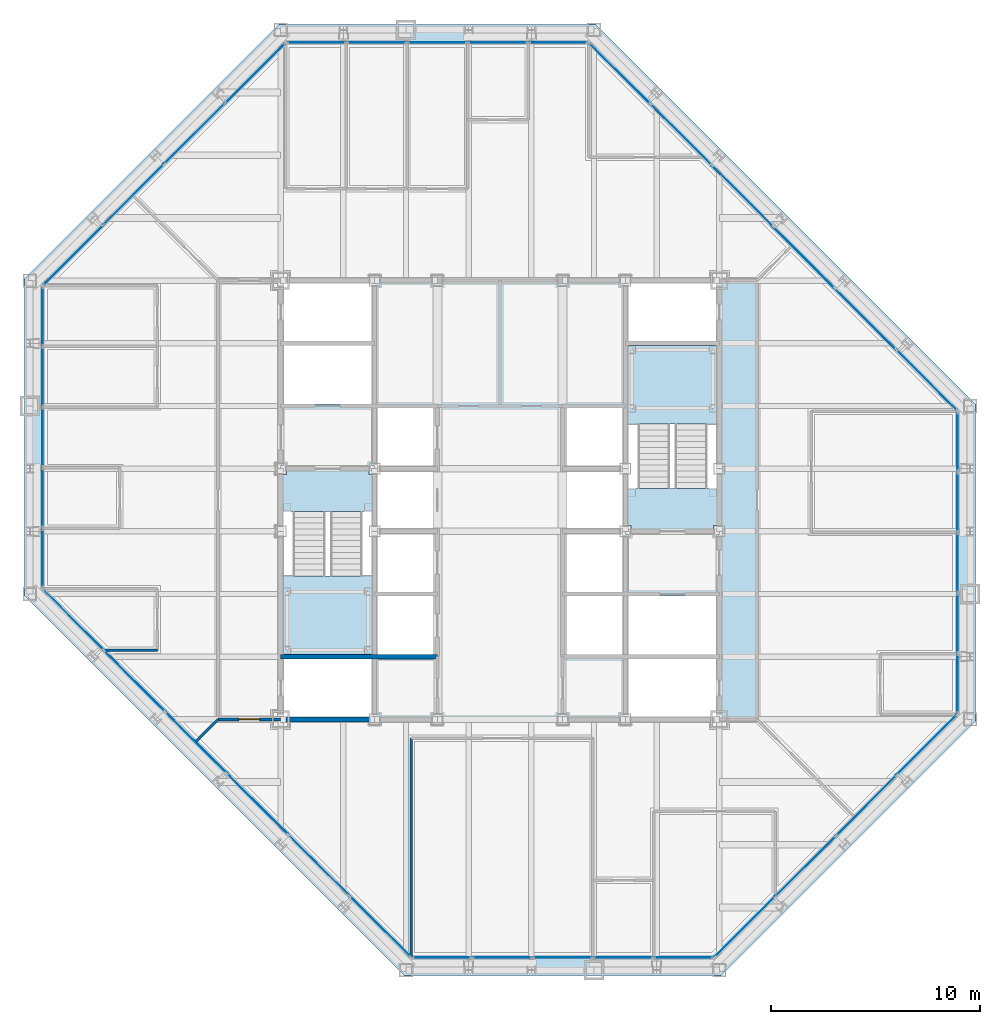
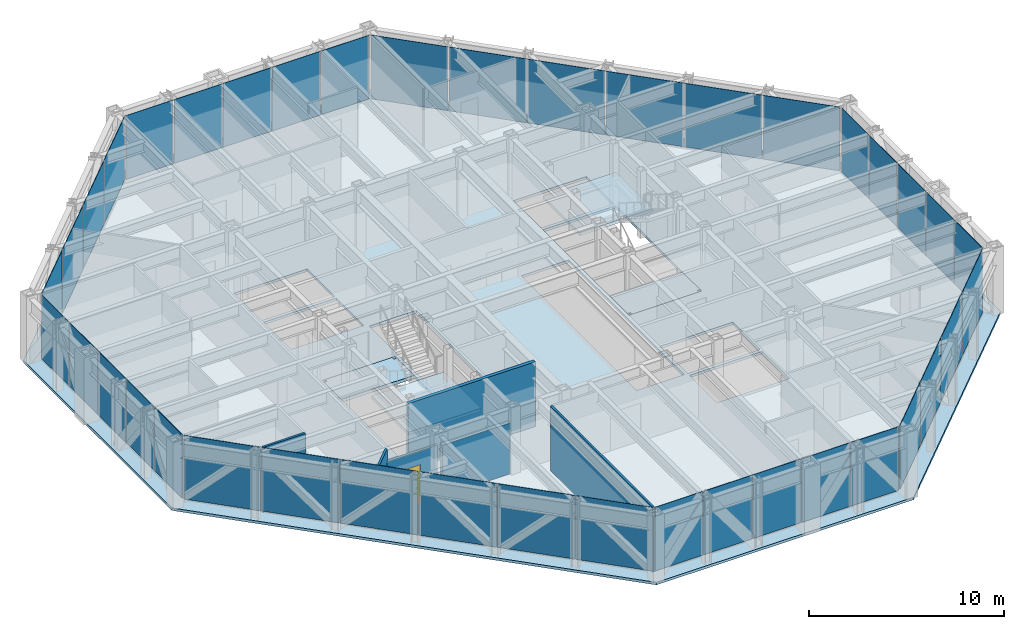
# One storey, part 10 of 16: 40 plates, 6 walls, 5 slabs, 1 door, 1 opening, 10 elements without a shape of their own.
"""IFC4 building model written with IfcOpenShell, lengths in metres."""

from ifc_helpers import new_model, si_unit, direction, frame, frame_2d, origin, origin_2d, place, context, subcontext, project, spatial, polyline, rectangle, outline, extrude, material, layer, layer_set, type_object, element, fill, aggregate, save


model = new_model("IFC4")

# Units and contexts
model_context = context("Model", 3, precision=1e-05, world=origin(), true_north=direction((0.0, 1.0)))
body_context = subcontext(model_context, "Body", "Model", "MODEL_VIEW")
ifc_project = project(units=[si_unit("LENGTHUNIT", "METRE"), si_unit("AREAUNIT", "SQUARE_METRE"), si_unit("VOLUMEUNIT", "CUBIC_METRE"), si_unit("PLANEANGLEUNIT", "RADIAN"), si_unit("MASSUNIT", "GRAM", prefix="KILO")], contexts=[model_context])

# Site, building, storey
site_placement = place(None, origin())
site = spatial("IfcSite", under=ifc_project, at=site_placement, CompositionType="ELEMENT")
building_placement = place(site_placement, origin())
building = spatial("IfcBuilding", under=site, at=building_placement, Name="Chuquiago Exchange Tower", CompositionType="ELEMENT")
storey_placement = place(building_placement, frame((0.0, 0.0, 239.10009765625)))
storey = spatial("IfcBuildingStorey", under=building, at=storey_placement, Name="L53", CompositionType="ELEMENT", Elevation=239.10009765625)

# Curtain wall, plate
ifc_material_1 = material(Name="Aluminium curtain wall system", Category="aluminium")
ifc_layer_1 = layer(ifc_material_1, 0.22509765625)
ifc_layer_set_1 = layer_set([ifc_layer_1], Name="CW2 office curtain wall")
curtain_wall_type_1 = type_object("IfcCurtainWallType", Name="CW2 office curtain wall", PredefinedType="NOTDEFINED", material=ifc_layer_set_1)
curtain_wall_1_placement = place(storey_placement, origin())
curtain_wall_1 = element("IfcCurtainWall", 1, at=curtain_wall_1_placement, inside=storey, type_object=curtain_wall_type_1, Name="CW2 curtain wall L53", PredefinedType="NOTDEFINED")
ifc_material_2 = material(Name="Glass, insulating unit", Category="glass")
ifc_layer_2 = layer(ifc_material_2, 0.030029296875)
ifc_layer_set_2 = layer_set([ifc_layer_2], Name="CW2-P panel 30")
plate_type_1 = type_object("IfcPlateType", Name="CW2-P panel 30", PredefinedType="CURTAIN_PANEL", material=ifc_layer_set_2)
plate_1_placement = place(storey_placement, frame((25.5, 0.60009765625, 0.06494140625), z_axis=(0.0, 0.0, 1.0), x_axis=(1.0, 0.0, 0.0)))
plate_1 = element("IfcPlate", 2, at=plate_1_placement, type_object=plate_type_1, Name="CW2 panel 3.1", PredefinedType="CURTAIN_PANEL", context=body_context, shape_type="SweptSolid", body=[
    extrude(rectangle(XDim=2.835693359375, YDim=0.030029296875, at=origin_2d()), origin(), (0.0, 0.0, 1.0), 3.97509765625),
])

curtain_wall_2_placement = place(storey_placement, origin())
curtain_wall_2 = element("IfcCurtainWall", 3, at=curtain_wall_2_placement, inside=storey, type_object=curtain_wall_type_1, Name="CW2 curtain wall L53", PredefinedType="NOTDEFINED")
plate_2_placement = place(storey_placement, frame((44.39990234375, 19.5, 0.06494140625), z_axis=(0.0, 0.0, 1.0), x_axis=(0.0, 1.0, 0.0)))
plate_2 = element("IfcPlate", 4, at=plate_2_placement, type_object=plate_type_1, Name="CW2 panel 3.1", PredefinedType="CURTAIN_PANEL", context=body_context, shape_type="SweptSolid", body=[
    extrude(rectangle(XDim=2.835693359375, YDim=0.030029296875, at=origin_2d()), origin(), (0.0, 0.0, 1.0), 3.97509765625),
])

curtain_wall_3_placement = place(storey_placement, origin())
curtain_wall_3 = element("IfcCurtainWall", 5, at=curtain_wall_3_placement, inside=storey, type_object=curtain_wall_type_1, Name="CW2 curtain wall L53", PredefinedType="NOTDEFINED")
plate_3_placement = place(storey_placement, frame((19.5, 44.39990234375, 0.06494140625), z_axis=(0.0, 0.0, 1.0), x_axis=(-1.0, 0.0, 0.0)))
plate_3 = element("IfcPlate", 6, at=plate_3_placement, type_object=plate_type_1, Name="CW2 panel 3.1", PredefinedType="CURTAIN_PANEL", context=body_context, shape_type="SweptSolid", body=[
    extrude(rectangle(XDim=2.835693359375, YDim=0.030029296875, at=origin_2d()), origin(), (0.0, 0.0, 1.0), 3.97509765625),
])

curtain_wall_4_placement = place(storey_placement, origin())
curtain_wall_4 = element("IfcCurtainWall", 7, at=curtain_wall_4_placement, inside=storey, type_object=curtain_wall_type_1, Name="CW2 curtain wall L53", PredefinedType="NOTDEFINED")
plate_4_placement = place(storey_placement, frame((0.60009765625, 25.5, 0.06494140625), z_axis=(0.0, 0.0, 1.0), x_axis=(0.0, -1.0, 0.0)))
plate_4 = element("IfcPlate", 8, at=plate_4_placement, type_object=plate_type_1, Name="CW2 panel 3.1", PredefinedType="CURTAIN_PANEL", context=body_context, shape_type="SweptSolid", body=[
    extrude(rectangle(XDim=2.835693359375, YDim=0.030029296875, at=origin_2d()), origin(), (0.0, 0.0, 1.0), 3.97509765625),
])

# Plate
ifc_material_3 = material(Name="Insulated spandrel panel, pale anodised aluminium", Category="aluminium")
ifc_layer_3 = layer(ifc_material_3, 0.030029296875)
ifc_layer_set_3 = layer_set([ifc_layer_3], Name="CW2-P spandrel panel 30")
plate_type_2 = type_object("IfcPlateType", Name="CW2-P spandrel panel 30", PredefinedType="CURTAIN_PANEL", material=ifc_layer_set_3)
plate_5_placement = place(storey_placement, frame((19.715087890625, 0.60009765625, 0.06494140625), z_axis=(0.0, 0.0, 1.0), x_axis=(1.0, 0.0, 0.0)))
plate_5 = element("IfcPlate", 9, at=plate_5_placement, type_object=plate_type_2, Name="CW2 panel 1.1", PredefinedType="CURTAIN_PANEL", context=body_context, shape_type="SweptSolid", body=[
    extrude(rectangle(XDim=2.802978515625, YDim=0.030029296875, at=origin_2d()), origin(), (0.0, 0.0, 1.0), 3.97509765625),
])

plate_6_placement = place(storey_placement, frame((22.599365234375, 0.60009765625, 0.06494140625), z_axis=(0.0, 0.0, 1.0), x_axis=(1.0, 0.0, 0.0)))
plate_6 = element("IfcPlate", 10, at=plate_6_placement, type_object=plate_type_2, Name="CW2 panel 2.1", PredefinedType="CURTAIN_PANEL", context=body_context, shape_type="SweptSolid", body=[
    extrude(rectangle(XDim=2.835693359375, YDim=0.030029296875, at=origin_2d()), origin(), (0.0, 0.0, 1.0), 3.97509765625),
])

plate_7_placement = place(storey_placement, frame((28.400634765625, 0.60009765625, 0.06494140625), z_axis=(0.0, 0.0, 1.0), x_axis=(1.0, 0.0, 0.0)))
plate_7 = element("IfcPlate", 11, at=plate_7_placement, type_object=plate_type_2, Name="CW2 panel 4.1", PredefinedType="CURTAIN_PANEL", context=body_context, shape_type="SweptSolid", body=[
    extrude(rectangle(XDim=2.835693359375, YDim=0.030029296875, at=origin_2d()), origin(), (0.0, 0.0, 1.0), 3.97509765625),
])

plate_8_placement = place(storey_placement, frame((31.284912109375, 0.60009765625, 0.06494140625), z_axis=(0.0, 0.0, 1.0), x_axis=(1.0, 0.0, 0.0)))
plate_8 = element("IfcPlate", 12, at=plate_8_placement, type_object=plate_type_2, Name="CW2 panel 5.1", PredefinedType="CURTAIN_PANEL", context=body_context, shape_type="SweptSolid", body=[
    extrude(rectangle(XDim=2.802978515625, YDim=0.030029296875, at=origin_2d()), origin(), (0.0, 0.0, 1.0), 3.97509765625),
])

aggregate(curtain_wall_1, [plate_5, plate_6, plate_1, plate_7, plate_8])

plate_9_placement = place(storey_placement, frame((44.39990234375, 13.715087890625, 0.06494140625), z_axis=(0.0, 0.0, 1.0), x_axis=(0.0, 1.0, 0.0)))
plate_9 = element("IfcPlate", 13, at=plate_9_placement, type_object=plate_type_2, Name="CW2 panel 1.1", PredefinedType="CURTAIN_PANEL", context=body_context, shape_type="SweptSolid", body=[
    extrude(rectangle(XDim=2.802978515625, YDim=0.030029296875, at=origin_2d()), origin(), (0.0, 0.0, 1.0), 3.97509765625),
])

plate_10_placement = place(storey_placement, frame((44.39990234375, 16.599365234375, 0.06494140625), z_axis=(0.0, 0.0, 1.0), x_axis=(0.0, 1.0, 0.0)))
plate_10 = element("IfcPlate", 14, at=plate_10_placement, type_object=plate_type_2, Name="CW2 panel 2.1", PredefinedType="CURTAIN_PANEL", context=body_context, shape_type="SweptSolid", body=[
    extrude(rectangle(XDim=2.835693359375, YDim=0.030029296875, at=origin_2d()), origin(), (0.0, 0.0, 1.0), 3.97509765625),
])

plate_11_placement = place(storey_placement, frame((44.39990234375, 22.400634765625, 0.06494140625), z_axis=(0.0, 0.0, 1.0), x_axis=(0.0, 1.0, 0.0)))
plate_11 = element("IfcPlate", 15, at=plate_11_placement, type_object=plate_type_2, Name="CW2 panel 4.1", PredefinedType="CURTAIN_PANEL", context=body_context, shape_type="SweptSolid", body=[
    extrude(rectangle(XDim=2.835693359375, YDim=0.030029296875, at=origin_2d()), origin(), (0.0, 0.0, 1.0), 3.97509765625),
])

plate_12_placement = place(storey_placement, frame((44.39990234375, 25.284912109375, 0.06494140625), z_axis=(0.0, 0.0, 1.0), x_axis=(0.0, 1.0, 0.0)))
plate_12 = element("IfcPlate", 16, at=plate_12_placement, type_object=plate_type_2, Name="CW2 panel 5.1", PredefinedType="CURTAIN_PANEL", context=body_context, shape_type="SweptSolid", body=[
    extrude(rectangle(XDim=2.802978515625, YDim=0.030029296875, at=origin_2d()), origin(), (0.0, 0.0, 1.0), 3.97509765625),
])

aggregate(curtain_wall_2, [plate_9, plate_10, plate_2, plate_11, plate_12])

plate_13_placement = place(storey_placement, frame((25.284912109375, 44.39990234375, 0.06494140625), z_axis=(0.0, 0.0, 1.0), x_axis=(-1.0, 0.0, 0.0)))
plate_13 = element("IfcPlate", 17, at=plate_13_placement, type_object=plate_type_2, Name="CW2 panel 1.1", PredefinedType="CURTAIN_PANEL", context=body_context, shape_type="SweptSolid", body=[
    extrude(rectangle(XDim=2.802978515625, YDim=0.030029296875, at=origin_2d()), origin(), (0.0, 0.0, 1.0), 3.97509765625),
])

plate_14_placement = place(storey_placement, frame((22.400634765625, 44.39990234375, 0.06494140625), z_axis=(0.0, 0.0, 1.0), x_axis=(-1.0, 0.0, 0.0)))
plate_14 = element("IfcPlate", 18, at=plate_14_placement, type_object=plate_type_2, Name="CW2 panel 2.1", PredefinedType="CURTAIN_PANEL", context=body_context, shape_type="SweptSolid", body=[
    extrude(rectangle(XDim=2.835693359375, YDim=0.030029296875, at=origin_2d()), origin(), (0.0, 0.0, 1.0), 3.97509765625),
])

plate_15_placement = place(storey_placement, frame((16.599365234375, 44.39990234375, 0.06494140625), z_axis=(0.0, 0.0, 1.0), x_axis=(-1.0, 0.0, 0.0)))
plate_15 = element("IfcPlate", 19, at=plate_15_placement, type_object=plate_type_2, Name="CW2 panel 4.1", PredefinedType="CURTAIN_PANEL", context=body_context, shape_type="SweptSolid", body=[
    extrude(rectangle(XDim=2.835693359375, YDim=0.030029296875, at=origin_2d()), origin(), (0.0, 0.0, 1.0), 3.97509765625),
])

plate_16_placement = place(storey_placement, frame((13.715087890625, 44.39990234375, 0.06494140625), z_axis=(0.0, 0.0, 1.0), x_axis=(-1.0, 0.0, 0.0)))
plate_16 = element("IfcPlate", 20, at=plate_16_placement, type_object=plate_type_2, Name="CW2 panel 5.1", PredefinedType="CURTAIN_PANEL", context=body_context, shape_type="SweptSolid", body=[
    extrude(rectangle(XDim=2.802978515625, YDim=0.030029296875, at=origin_2d()), origin(), (0.0, 0.0, 1.0), 3.97509765625),
])

aggregate(curtain_wall_3, [plate_13, plate_14, plate_3, plate_15, plate_16])

plate_17_placement = place(storey_placement, frame((0.60009765625, 31.284912109375, 0.06494140625), z_axis=(0.0, 0.0, 1.0), x_axis=(0.0, -1.0, 0.0)))
plate_17 = element("IfcPlate", 21, at=plate_17_placement, type_object=plate_type_2, Name="CW2 panel 1.1", PredefinedType="CURTAIN_PANEL", context=body_context, shape_type="SweptSolid", body=[
    extrude(rectangle(XDim=2.802978515625, YDim=0.030029296875, at=origin_2d()), origin(), (0.0, 0.0, 1.0), 3.97509765625),
])

plate_18_placement = place(storey_placement, frame((0.60009765625, 28.400634765625, 0.06494140625), z_axis=(0.0, 0.0, 1.0), x_axis=(0.0, -1.0, 0.0)))
plate_18 = element("IfcPlate", 22, at=plate_18_placement, type_object=plate_type_2, Name="CW2 panel 2.1", PredefinedType="CURTAIN_PANEL", context=body_context, shape_type="SweptSolid", body=[
    extrude(rectangle(XDim=2.835693359375, YDim=0.030029296875, at=origin_2d()), origin(), (0.0, 0.0, 1.0), 3.97509765625),
])

plate_19_placement = place(storey_placement, frame((0.60009765625, 22.599365234375, 0.06494140625), z_axis=(0.0, 0.0, 1.0), x_axis=(0.0, -1.0, 0.0)))
plate_19 = element("IfcPlate", 23, at=plate_19_placement, type_object=plate_type_2, Name="CW2 panel 4.1", PredefinedType="CURTAIN_PANEL", context=body_context, shape_type="SweptSolid", body=[
    extrude(rectangle(XDim=2.835693359375, YDim=0.030029296875, at=origin_2d()), origin(), (0.0, 0.0, 1.0), 3.97509765625),
])

plate_20_placement = place(storey_placement, frame((0.60009765625, 19.715087890625, 0.06494140625), z_axis=(0.0, 0.0, 1.0), x_axis=(0.0, -1.0, 0.0)))
plate_20 = element("IfcPlate", 24, at=plate_20_placement, type_object=plate_type_2, Name="CW2 panel 5.1", PredefinedType="CURTAIN_PANEL", context=body_context, shape_type="SweptSolid", body=[
    extrude(rectangle(XDim=2.802978515625, YDim=0.030029296875, at=origin_2d()), origin(), (0.0, 0.0, 1.0), 3.97509765625),
])

aggregate(curtain_wall_4, [plate_17, plate_18, plate_4, plate_19, plate_20])

# Curtain wall, plates
ifc_material_4 = material(Name="Aluminium curtain wall system", Category="aluminium")
ifc_layer_4 = layer(ifc_material_4, 0.199951171875)
ifc_layer_set_4 = layer_set([ifc_layer_4], Name="CW3 facet curtain wall")
curtain_wall_type_2 = type_object("IfcCurtainWallType", Name="CW3 facet curtain wall", PredefinedType="NOTDEFINED", material=ifc_layer_set_4)
curtain_wall_5_placement = place(storey_placement, origin())
curtain_wall_5 = element("IfcCurtainWall", 25, at=curtain_wall_5_placement, inside=storey, type_object=curtain_wall_type_2, Name="CW3 curtain wall L53", PredefinedType="NOTDEFINED")
ifc_material_5 = material(Name="Insulated spandrel panel, pale anodised aluminium", Category="aluminium")
ifc_layer_5 = layer(ifc_material_5, 0.030029296875)
ifc_layer_set_5 = layer_set([ifc_layer_5], Name="CW3-P spandrel panel 30")
plate_type_3 = type_object("IfcPlateType", Name="CW3-P spandrel panel 30", PredefinedType="CURTAIN_PANEL", material=ifc_layer_set_5)
plate_21_placement = place(storey_placement, frame((34.218994140625, 2.067626953125, 0.06494140625), z_axis=(0.0, 0.0, 1.0), x_axis=(0.707106781187, 0.707106781187, 0.0)))
plate_21 = element("IfcPlate", 26, at=plate_21_placement, type_object=plate_type_3, Name="CW3 panel 1.1", PredefinedType="CURTAIN_PANEL", context=body_context, shape_type="SweptSolid", body=[
    extrude(rectangle(XDim=4.020751953125, YDim=0.030029296875, at=origin_2d()), origin(), (0.0, 0.0, 1.0), 3.97509765625),
])
plate_22_placement = place(storey_placement, frame((37.11962890625, 4.96826171875, 0.06494140625), z_axis=(0.0, 0.0, 1.0), x_axis=(0.707106781187, 0.707106781187, 0.0)))
plate_22 = element("IfcPlate", 27, at=plate_22_placement, type_object=plate_type_3, Name="CW3 panel 2.1", PredefinedType="CURTAIN_PANEL", context=body_context, shape_type="SweptSolid", body=[
    extrude(rectangle(XDim=4.053466796875, YDim=0.030029296875, at=origin_2d()), origin(), (0.0, 0.0, 1.0), 3.97509765625),
])
plate_23_placement = place(storey_placement, frame((40.03173828125, 7.88037109375, 0.06494140625), z_axis=(0.0, 0.0, 1.0), x_axis=(0.707106781187, 0.707106781187, 0.0)))
plate_23 = element("IfcPlate", 28, at=plate_23_placement, type_object=plate_type_3, Name="CW3 panel 3.1", PredefinedType="CURTAIN_PANEL", context=body_context, shape_type="SweptSolid", body=[
    extrude(rectangle(XDim=4.053466796875, YDim=0.030029296875, at=origin_2d()), origin(), (0.0, 0.0, 1.0), 3.97509765625),
])
plate_24_placement = place(storey_placement, frame((42.932373046875, 10.781005859375, 0.06494140625), z_axis=(0.0, 0.0, 1.0), x_axis=(0.707106781187, 0.707106781187, 0.0)))
plate_24 = element("IfcPlate", 29, at=plate_24_placement, type_object=plate_type_3, Name="CW3 panel 4.1", PredefinedType="CURTAIN_PANEL", context=body_context, shape_type="SweptSolid", body=[
    extrude(rectangle(XDim=4.020751953125, YDim=0.030029296875, at=origin_2d()), origin(), (0.0, 0.0, 1.0), 3.97509765625),
])
aggregate(curtain_wall_5, [plate_21, plate_22, plate_23, plate_24])

curtain_wall_6_placement = place(storey_placement, origin())
curtain_wall_6 = element("IfcCurtainWall", 30, at=curtain_wall_6_placement, inside=storey, type_object=curtain_wall_type_2, Name="CW3 curtain wall L53", PredefinedType="NOTDEFINED")
plate_25_placement = place(storey_placement, frame((42.917724609375, 28.233642578125, 0.06494140625), z_axis=(0.0, 0.0, 1.0), x_axis=(-0.707106781187, 0.707106781187, 0.0)))
plate_25 = element("IfcPlate", 31, at=plate_25_placement, type_object=plate_type_3, Name="CW3 panel 1.1", PredefinedType="CURTAIN_PANEL", context=body_context, shape_type="SweptSolid", body=[
    extrude(rectangle(XDim=4.062255859375, YDim=0.030029296875, at=origin_2d()), origin(), (0.0, 0.0, 1.0), 3.97509765625),
])
plate_26_placement = place(storey_placement, frame((39.98779296875, 31.16357421875, 0.06494140625), z_axis=(0.0, 0.0, 1.0), x_axis=(-0.707106781187, 0.707106781187, 0.0)))
plate_26 = element("IfcPlate", 32, at=plate_26_placement, type_object=plate_type_3, Name="CW3 panel 2.1", PredefinedType="CURTAIN_PANEL", context=body_context, shape_type="SweptSolid", body=[
    extrude(rectangle(XDim=4.0947265625, YDim=0.030029296875, at=origin_2d()), origin(), (0.0, 0.0, 1.0), 3.97509765625),
])
plate_27_placement = place(storey_placement, frame((37.04638671875, 34.10498046875, 0.06494140625), z_axis=(0.0, 0.0, 1.0), x_axis=(-0.707106781187, 0.707106781187, 0.0)))
plate_27 = element("IfcPlate", 33, at=plate_27_placement, type_object=plate_type_3, Name="CW3 panel 3.1", PredefinedType="CURTAIN_PANEL", context=body_context, shape_type="SweptSolid", body=[
    extrude(rectangle(XDim=4.0947265625, YDim=0.030029296875, at=origin_2d()), origin(), (0.0, 0.0, 1.0), 3.97509765625),
])
plate_28_placement = place(storey_placement, frame((34.10498046875, 37.04638671875, 0.06494140625), z_axis=(0.0, 0.0, 1.0), x_axis=(-0.707106781187, 0.707106781187, 0.0)))
plate_28 = element("IfcPlate", 34, at=plate_28_placement, type_object=plate_type_3, Name="CW3 panel 4.1", PredefinedType="CURTAIN_PANEL", context=body_context, shape_type="SweptSolid", body=[
    extrude(rectangle(XDim=4.0947265625, YDim=0.030029296875, at=origin_2d()), origin(), (0.0, 0.0, 1.0), 3.97509765625),
])
plate_29_placement = place(storey_placement, frame((31.16357421875, 39.98779296875, 0.06494140625), z_axis=(0.0, 0.0, 1.0), x_axis=(-0.707106781187, 0.707106781187, 0.0)))
plate_29 = element("IfcPlate", 35, at=plate_29_placement, type_object=plate_type_3, Name="CW3 panel 5.1", PredefinedType="CURTAIN_PANEL", context=body_context, shape_type="SweptSolid", body=[
    extrude(rectangle(XDim=4.0947265625, YDim=0.030029296875, at=origin_2d()), origin(), (0.0, 0.0, 1.0), 3.97509765625),
])
plate_30_placement = place(storey_placement, frame((28.233642578125, 42.917724609375, 0.06494140625), z_axis=(0.0, 0.0, 1.0), x_axis=(-0.707106781187, 0.707106781187, 0.0)))
plate_30 = element("IfcPlate", 36, at=plate_30_placement, type_object=plate_type_3, Name="CW3 panel 6.1", PredefinedType="CURTAIN_PANEL", context=body_context, shape_type="SweptSolid", body=[
    extrude(rectangle(XDim=4.062255859375, YDim=0.030029296875, at=origin_2d()), origin(), (0.0, 0.0, 1.0), 3.97509765625),
])
aggregate(curtain_wall_6, [plate_25, plate_26, plate_27, plate_28, plate_29, plate_30])

curtain_wall_7_placement = place(storey_placement, origin())
curtain_wall_7 = element("IfcCurtainWall", 37, at=curtain_wall_7_placement, inside=storey, type_object=curtain_wall_type_2, Name="CW3 curtain wall L53", PredefinedType="NOTDEFINED")
plate_31_placement = place(storey_placement, frame((10.781005859375, 42.932373046875, 0.06494140625), z_axis=(0.0, 0.0, 1.0), x_axis=(-0.707106781187, -0.707106781187, 0.0)))
plate_31 = element("IfcPlate", 38, at=plate_31_placement, type_object=plate_type_3, Name="CW3 panel 1.1", PredefinedType="CURTAIN_PANEL", context=body_context, shape_type="SweptSolid", body=[
    extrude(rectangle(XDim=4.020751953125, YDim=0.030029296875, at=origin_2d()), origin(), (0.0, 0.0, 1.0), 3.97509765625),
])
plate_32_placement = place(storey_placement, frame((7.88037109375, 40.03173828125, 0.06494140625), z_axis=(0.0, 0.0, 1.0), x_axis=(-0.707106781187, -0.707106781187, 0.0)))
plate_32 = element("IfcPlate", 39, at=plate_32_placement, type_object=plate_type_3, Name="CW3 panel 2.1", PredefinedType="CURTAIN_PANEL", context=body_context, shape_type="SweptSolid", body=[
    extrude(rectangle(XDim=4.053466796875, YDim=0.030029296875, at=origin_2d()), origin(), (0.0, 0.0, 1.0), 3.97509765625),
])
plate_33_placement = place(storey_placement, frame((4.96826171875, 37.11962890625, 0.06494140625), z_axis=(0.0, 0.0, 1.0), x_axis=(-0.707106781187, -0.707106781187, 0.0)))
plate_33 = element("IfcPlate", 40, at=plate_33_placement, type_object=plate_type_3, Name="CW3 panel 3.1", PredefinedType="CURTAIN_PANEL", context=body_context, shape_type="SweptSolid", body=[
    extrude(rectangle(XDim=4.053466796875, YDim=0.030029296875, at=origin_2d()), origin(), (0.0, 0.0, 1.0), 3.97509765625),
])
plate_34_placement = place(storey_placement, frame((2.067626953125, 34.218994140625, 0.06494140625), z_axis=(0.0, 0.0, 1.0), x_axis=(-0.707106781187, -0.707106781187, 0.0)))
plate_34 = element("IfcPlate", 41, at=plate_34_placement, type_object=plate_type_3, Name="CW3 panel 4.1", PredefinedType="CURTAIN_PANEL", context=body_context, shape_type="SweptSolid", body=[
    extrude(rectangle(XDim=4.020751953125, YDim=0.030029296875, at=origin_2d()), origin(), (0.0, 0.0, 1.0), 3.97509765625),
])
aggregate(curtain_wall_7, [plate_31, plate_32, plate_33, plate_34])

curtain_wall_8_placement = place(storey_placement, origin())
curtain_wall_8 = element("IfcCurtainWall", 42, at=curtain_wall_8_placement, inside=storey, type_object=curtain_wall_type_2, Name="CW3 curtain wall L53", PredefinedType="NOTDEFINED")
plate_35_placement = place(storey_placement, frame((2.082275390625, 16.766357421875, 0.06494140625), z_axis=(0.0, 0.0, 1.0), x_axis=(0.707106781187, -0.707106781187, 0.0)))
plate_35 = element("IfcPlate", 43, at=plate_35_placement, type_object=plate_type_3, Name="CW3 panel 1.1", PredefinedType="CURTAIN_PANEL", context=body_context, shape_type="SweptSolid", body=[
    extrude(rectangle(XDim=4.062255859375, YDim=0.030029296875, at=origin_2d()), origin(), (0.0, 0.0, 1.0), 3.97509765625),
])
plate_36_placement = place(storey_placement, frame((5.01220703125, 13.83642578125, 0.06494140625), z_axis=(0.0, 0.0, 1.0), x_axis=(0.707106781187, -0.707106781187, 0.0)))
plate_36 = element("IfcPlate", 44, at=plate_36_placement, type_object=plate_type_3, Name="CW3 panel 2.1", PredefinedType="CURTAIN_PANEL", context=body_context, shape_type="SweptSolid", body=[
    extrude(rectangle(XDim=4.0947265625, YDim=0.030029296875, at=origin_2d()), origin(), (0.0, 0.0, 1.0), 3.97509765625),
])
plate_37_placement = place(storey_placement, frame((7.95361328125, 10.89501953125, 0.06494140625), z_axis=(0.0, 0.0, 1.0), x_axis=(0.707106781187, -0.707106781187, 0.0)))
plate_37 = element("IfcPlate", 45, at=plate_37_placement, type_object=plate_type_3, Name="CW3 panel 3.1", PredefinedType="CURTAIN_PANEL", context=body_context, shape_type="SweptSolid", body=[
    extrude(rectangle(XDim=4.0947265625, YDim=0.030029296875, at=origin_2d()), origin(), (0.0, 0.0, 1.0), 3.97509765625),
])
plate_38_placement = place(storey_placement, frame((10.89501953125, 7.95361328125, 0.06494140625), z_axis=(0.0, 0.0, 1.0), x_axis=(0.707106781187, -0.707106781187, 0.0)))
plate_38 = element("IfcPlate", 46, at=plate_38_placement, type_object=plate_type_3, Name="CW3 panel 4.1", PredefinedType="CURTAIN_PANEL", context=body_context, shape_type="SweptSolid", body=[
    extrude(rectangle(XDim=4.0947265625, YDim=0.030029296875, at=origin_2d()), origin(), (0.0, 0.0, 1.0), 3.97509765625),
])
plate_39_placement = place(storey_placement, frame((13.83642578125, 5.01220703125, 0.06494140625), z_axis=(0.0, 0.0, 1.0), x_axis=(0.707106781187, -0.707106781187, 0.0)))
plate_39 = element("IfcPlate", 47, at=plate_39_placement, type_object=plate_type_3, Name="CW3 panel 5.1", PredefinedType="CURTAIN_PANEL", context=body_context, shape_type="SweptSolid", body=[
    extrude(rectangle(XDim=4.0947265625, YDim=0.030029296875, at=origin_2d()), origin(), (0.0, 0.0, 1.0), 3.97509765625),
])
plate_40_placement = place(storey_placement, frame((16.766357421875, 2.082275390625, 0.06494140625), z_axis=(0.0, 0.0, 1.0), x_axis=(0.707106781187, -0.707106781187, 0.0)))
plate_40 = element("IfcPlate", 48, at=plate_40_placement, type_object=plate_type_3, Name="CW3 panel 6.1", PredefinedType="CURTAIN_PANEL", context=body_context, shape_type="SweptSolid", body=[
    extrude(rectangle(XDim=4.062255859375, YDim=0.030029296875, at=origin_2d()), origin(), (0.0, 0.0, 1.0), 3.97509765625),
])
aggregate(curtain_wall_8, [plate_35, plate_36, plate_37, plate_38, plate_39, plate_40])

# Slab
ifc_material_6 = material(Name="Concrete C30/37", Category="concrete")
ifc_layer_6 = layer(ifc_material_6, 0.159912109375)
ifc_layer_set_6 = layer_set([ifc_layer_6], Name="FS1 composite floor 160")
slab_type_1 = type_object("IfcSlabType", Name="FS1 composite floor 160", PredefinedType="FLOOR", material=ifc_layer_set_6)
slab_1_placement = place(storey_placement, frame((0.0, 0.0, -0.16015625)))
element("IfcSlab", 49, at=slab_1_placement, inside=storey, type_object=slab_type_1, Name="L53 floor slab", PredefinedType="FLOOR", context=body_context, shape_type="SweptSolid", body=[
    extrude(outline(polyline([(17.896484375, -0.25), (-0.25, 17.896484375), (-0.25, 33.103515625), (11.896484375, 45.25), (27.103515625, 45.25), (45.25, 27.103515625), (45.25, 11.896484375), (33.103515625, -0.25), (17.896484375, -0.25)]), holes=[polyline([(16.39990234375, 15.10009765625), (12.10009765625, 15.10009765625), (12.10009765625, 23.89990234375), (16.39990234375, 23.89990234375), (16.39990234375, 15.10009765625)]), polyline([(32.89990234375, 21.10009765625), (28.60009765625, 21.10009765625), (28.60009765625, 29.89990234375), (32.89990234375, 29.89990234375), (32.89990234375, 21.10009765625)]), polyline([(16.39990234375, 12.10009765625), (12.10009765625, 12.10009765625), (12.10009765625, 14.89990234375), (16.39990234375, 14.89990234375), (16.39990234375, 12.10009765625)]), polyline([(16.39990234375, 30.10009765625), (12.10009765625, 30.10009765625), (12.10009765625, 32.89990234375), (16.39990234375, 32.89990234375), (16.39990234375, 30.10009765625)]), polyline([(32.89990234375, 12.10009765625), (28.60009765625, 12.10009765625), (28.60009765625, 14.89990234375), (32.89990234375, 14.89990234375), (32.89990234375, 12.10009765625)]), polyline([(32.89990234375, 30.10009765625), (28.60009765625, 30.10009765625), (28.60009765625, 32.89990234375), (32.89990234375, 32.89990234375), (32.89990234375, 30.10009765625)]), polyline([(16.39990234375, 27.10009765625), (12.10009765625, 27.10009765625), (12.10009765625, 29.89990234375), (16.39990234375, 29.89990234375), (16.39990234375, 27.10009765625)]), polyline([(32.89990234375, 15.10009765625), (28.60009765625, 15.10009765625), (28.60009765625, 17.89990234375), (32.89990234375, 17.89990234375), (32.89990234375, 15.10009765625)]), polyline([(19.39990234375, 15.10009765625), (16.60009765625, 15.10009765625), (16.60009765625, 26.89990234375), (19.39990234375, 26.89990234375), (19.39990234375, 15.10009765625)]), polyline([(28.39990234375, 15.10009765625), (25.60009765625, 15.10009765625), (25.60009765625, 26.89990234375), (28.39990234375, 26.89990234375), (28.39990234375, 15.10009765625)])]), origin(), (0.0, 0.0, 1.0), 0.16015625),
])

# Stair, slabs
ifc_material_7 = material(Name="Concrete C30/37, precast", Category="concrete")
stair_type_1 = type_object("IfcStairType", Name="ST1 half-turn stair 4200", PredefinedType="HALF_TURN_STAIR", material=ifc_material_7)
stair_1_placement = place(storey_placement, origin())
stair_1 = element("IfcStair", 50, at=stair_1_placement, inside=storey, type_object=stair_type_1, Name="Stair ST1 L53", PredefinedType="HALF_TURN_STAIR")
ifc_material_8 = material(Name="Concrete C30/37, precast", Category="concrete")
ifc_layer_7 = layer(ifc_material_8, 0.199951171875)
ifc_layer_set_7 = layer_set([ifc_layer_7], Name="ST-L landing 200")
slab_type_2 = type_object("IfcSlabType", Name="ST-L landing 200", PredefinedType="LANDING", material=ifc_layer_set_7)
slab_2_placement = place(storey_placement, frame((0.0, 0.0, -0.2001953125)))
slab_2 = element("IfcSlab", 51, at=slab_2_placement, type_object=slab_type_2, Name="ST1 landing 1", PredefinedType="LANDING", context=body_context, shape_type="SweptSolid", body=[
    extrude(outline(polyline([(12.27490234375, 23.89990234375), (16.22509765625, 23.89990234375), (16.22509765625, 23.72509765625), (16.39990234375, 23.72509765625), (16.39990234375, 21.949951171875), (12.10009765625, 21.949951171875), (12.10009765625, 23.72509765625), (12.27490234375, 23.72509765625), (12.27490234375, 23.89990234375)])), origin(), (0.0, 0.0, 1.0), 0.2001953125),
])
slab_3_placement = place(storey_placement, frame((0.0, 0.0, 1.89990234375)))
slab_3 = element("IfcSlab", 52, at=slab_3_placement, type_object=slab_type_2, Name="ST1 landing 2", PredefinedType="LANDING", context=body_context, shape_type="SweptSolid", body=[
    extrude(outline(polyline([(12.10009765625, 18.8701171875), (16.39990234375, 18.8701171875), (16.39990234375, 15.10009765625), (12.10009765625, 15.10009765625), (12.10009765625, 18.8701171875)])), origin(), (0.0, 0.0, 1.0), 0.199951171875),
])
aggregate(stair_1, [slab_2, slab_3])

ifc_material_9 = material(Name="Concrete C30/37, precast", Category="concrete")
stair_type_2 = type_object("IfcStairType", Name="ST2 half-turn stair 4200", PredefinedType="HALF_TURN_STAIR", material=ifc_material_9)
stair_2_placement = place(storey_placement, origin())
stair_2 = element("IfcStair", 53, at=stair_2_placement, inside=storey, type_object=stair_type_2, Name="Stair ST2 L53", PredefinedType="HALF_TURN_STAIR")
slab_4_placement = place(storey_placement, frame((0.0, 0.0, -0.2001953125)))
slab_4 = element("IfcSlab", 54, at=slab_4_placement, type_object=slab_type_2, Name="ST2 landing 1", PredefinedType="LANDING", context=body_context, shape_type="SweptSolid", body=[
    extrude(outline(polyline([(32.72509765625, 21.27490234375), (32.72509765625, 21.10009765625), (28.77490234375, 21.10009765625), (28.77490234375, 21.27490234375), (28.60009765625, 21.27490234375), (28.60009765625, 23.050048828125), (32.89990234375, 23.050048828125), (32.89990234375, 21.27490234375), (32.72509765625, 21.27490234375)])), origin(), (0.0, 0.0, 1.0), 0.2001953125),
])
slab_5_placement = place(storey_placement, frame((0.0, 0.0, 1.89990234375)))
slab_5 = element("IfcSlab", 55, at=slab_5_placement, type_object=slab_type_2, Name="ST2 landing 2", PredefinedType="LANDING", context=body_context, shape_type="SweptSolid", body=[
    extrude(outline(polyline([(28.60009765625, 29.89990234375), (32.89990234375, 29.89990234375), (32.89990234375, 26.1298828125), (28.60009765625, 26.1298828125), (28.60009765625, 29.89990234375)])), origin(), (0.0, 0.0, 1.0), 0.199951171875),
])
aggregate(stair_2, [slab_4, slab_5])

# Wall
ifc_material_10 = material(Name="Concrete masonry, fully grouted", Category="masonry")
ifc_layer_8 = layer(ifc_material_10, 0.25)
ifc_layer_set_8 = layer_set([ifc_layer_8], Name="W1 core wall 250")
wall_type_1 = type_object("IfcWallType", Name="W1 core wall 250", PredefinedType="SOLIDWALL", material=ifc_layer_set_8)
wall_1_placement = place(storey_placement, frame((12.25, 12.0, 0.0), z_axis=(0.0, 0.0, 1.0), x_axis=(1.0, 0.0, 0.0)))
element("IfcWall", 56, at=wall_1_placement, inside=storey, type_object=wall_type_1, Name="CW-L53-01-0", PredefinedType="SOLIDWALL", context=body_context, shape_type="SweptSolid", body=[
    extrude(rectangle(XDim=4.0, YDim=0.25, at=frame_2d((2.0, 0.0))), origin(), (0.0, 0.0, 1.0), 3.181396484375),
])

# Wall, opening, door
ifc_material_11 = material(Name="Gypsum board on steel studs, acoustic insulation", Category="steel")
ifc_layer_9 = layer(ifc_material_11, 0.14990234375)
ifc_layer_set_9 = layer_set([ifc_layer_9], Name="W11 corridor wall 150")
wall_type_2 = type_object("IfcWallType", Name="W11 corridor wall 150", PredefinedType="PARTITIONING", material=ifc_layer_set_9)
wall_2_placement = place(storey_placement, frame((9.0, 12.0, 0.0), z_axis=(0.0, 0.0, 1.0), x_axis=(1.0, 0.0, 0.0)))
wall_2 = element("IfcWall", 57, at=wall_2_placement, inside=storey, type_object=wall_type_2, Name="PW-L53-GWS0", PredefinedType="PARTITIONING", context=body_context, shape_type="SweptSolid", body=[
    extrude(rectangle(XDim=3.0, YDim=0.14990234375, at=frame_2d((1.5, 0.0))), origin(), (0.0, 0.0, 1.0), 3.270263671875),
])
opening_placement = place(wall_2_placement, frame((1.0, 0.0, 0.0)))
opening = element("IfcOpeningElement", 58, at=opening_placement, cuts=wall_2, Name="Opening L53-035", PredefinedType="OPENING", context=body_context, shape_type="SweptSolid", body=[
    extrude(rectangle(XDim=1.0, YDim=2.39990234375, at=frame_2d((0.5, 1.199951171875))), frame((0.0, 0.0849609375, 0.0), z_axis=(0.0, -1.0, 0.0), x_axis=(1.0, 0.0, 0.0)), (0.0, 0.0, 1.0), 0.169921875),
])
ifc_material_12 = material(Name="Timber door, laminate faced", Category="wood")
door_type = type_object("IfcDoorType", Name="D9 room door 1000x2400", OperationType="SINGLE_SWING_LEFT", PredefinedType="DOOR", material=ifc_material_12)
door_placement = place(opening_placement, frame((1.0, 0.0, 0.0), z_axis=(0.0, 0.0, 1.0), x_axis=(-1.0, 0.0, 0.0)))
door = element("IfcDoor", 59, at=door_placement, inside=storey, type_object=door_type, Name="Team area door", OperationType="SINGLE_SWING_LEFT", OverallHeight=2.39990234375, OverallWidth=1.0, PredefinedType="DOOR", context=body_context, shape_type="SweptSolid", body=[
    extrude(rectangle(XDim=1.0, YDim=2.39990234375, at=frame_2d((0.5, 1.199951171875))), frame((0.0, 0.02490234375, 0.0), z_axis=(0.0, -1.0, 0.0), x_axis=(1.0, 0.0, 0.0)), (0.0, 0.0, 1.0), 0.050048828125),
])
fill(opening, door)

# Walls
ifc_material_13 = material(Name="Concrete masonry, fully grouted", Category="masonry")
ifc_layer_10 = layer(ifc_material_13, 0.199951171875)
ifc_layer_set_10 = layer_set([ifc_layer_10], Name="W2 shaft wall 200")
wall_type_3 = type_object("IfcWallType", Name="W2 shaft wall 200", PredefinedType="SOLIDWALL", material=ifc_layer_set_10)
wall_3_placement = place(storey_placement, frame((12.0, 15.0, 0.0), z_axis=(0.0, 0.0, 1.0), x_axis=(1.0, 0.0, 0.0)))
element("IfcWall", 60, at=wall_3_placement, inside=storey, type_object=wall_type_3, Name="CW-L53-03-0", PredefinedType="SOLIDWALL", context=body_context, shape_type="SweptSolid", body=[
    extrude(rectangle(XDim=7.5, YDim=0.199951171875, at=frame_2d((3.75, 0.0))), origin(), (0.0, 0.0, 1.0), 4.039794921875),
])
ifc_material_14 = material(Name="Gypsum board on steel studs", Category="steel")
ifc_layer_11 = layer(ifc_material_14, 0.1201171875)
ifc_layer_set_11 = layer_set([ifc_layer_11], Name="W4 partition 120")
wall_type_4 = type_object("IfcWallType", Name="W4 partition 120", PredefinedType="PARTITIONING", material=ifc_layer_set_11)
wall_4_placement = place(storey_placement, frame((18.24853515625, 0.666015625, 0.0), z_axis=(0.0, 0.0, 1.0), x_axis=(0.0, 1.0, 0.0)))
element("IfcWall", 61, at=wall_4_placement, inside=storey, type_object=wall_type_4, Name="PW-L53-S01825", PredefinedType="PARTITIONING", context=body_context, shape_type="SweptSolid", body=[
    extrude(rectangle(XDim=10.43408203125, YDim=0.1201171875, at=frame_2d((5.217041015625, 0.0))), origin(), (0.0, 0.0, 1.0), 4.039794921875),
])
wall_5_placement = place(storey_placement, frame((3.607421875, 15.30712890625, 0.0), z_axis=(0.0, 0.0, 1.0), x_axis=(1.0, 0.0, 0.0)))
element("IfcWall", 62, at=wall_5_placement, inside=storey, type_object=wall_type_4, Name="PW-L53-W01531", PredefinedType="PARTITIONING", context=body_context, shape_type="SweptSolid", body=[
    extrude(rectangle(XDim=2.49267578125, YDim=0.1201171875, at=frame_2d((1.246337890625, 0.0))), origin(), (0.0, 0.0, 1.0), 4.039794921875),
])
wall_6_placement = place(storey_placement, frame((9.0, 12.0, 0.0), z_axis=(0.0, 0.0, 1.0), x_axis=(-0.707106781187, -0.707106781187, 0.0)))
element("IfcWall", 63, at=wall_6_placement, inside=storey, type_object=wall_type_4, Name="PW-L53-QSW", PredefinedType="PARTITIONING", context=body_context, shape_type="SweptSolid", body=[
    extrude(rectangle(XDim=1.4892578125, YDim=0.1201171875, at=frame_2d((0.74462890625, 0.0))), origin(), (0.0, 0.0, 1.0), 4.039794921875),
])

save(model, "model.ifc")
